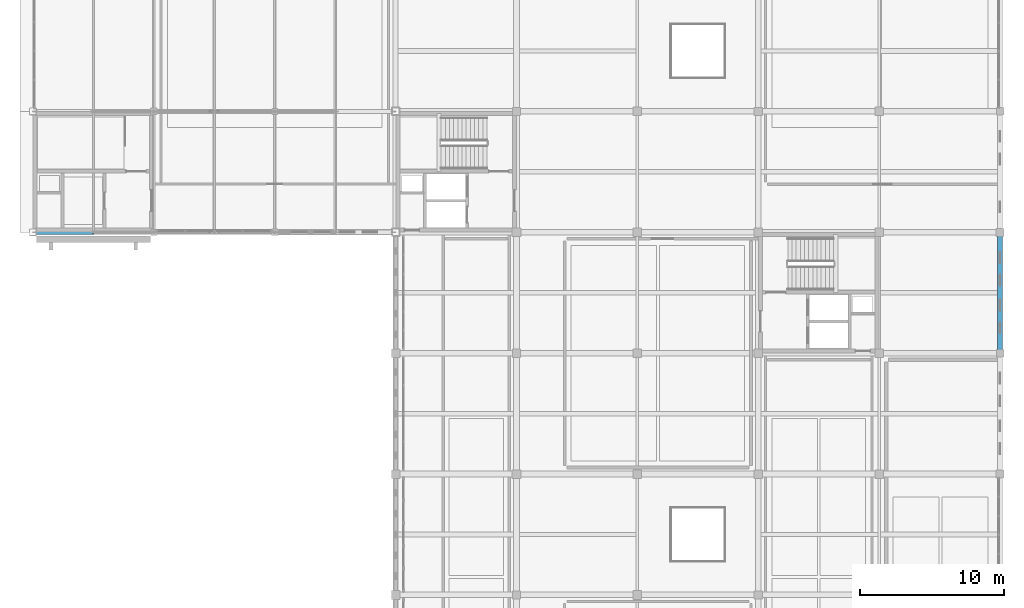
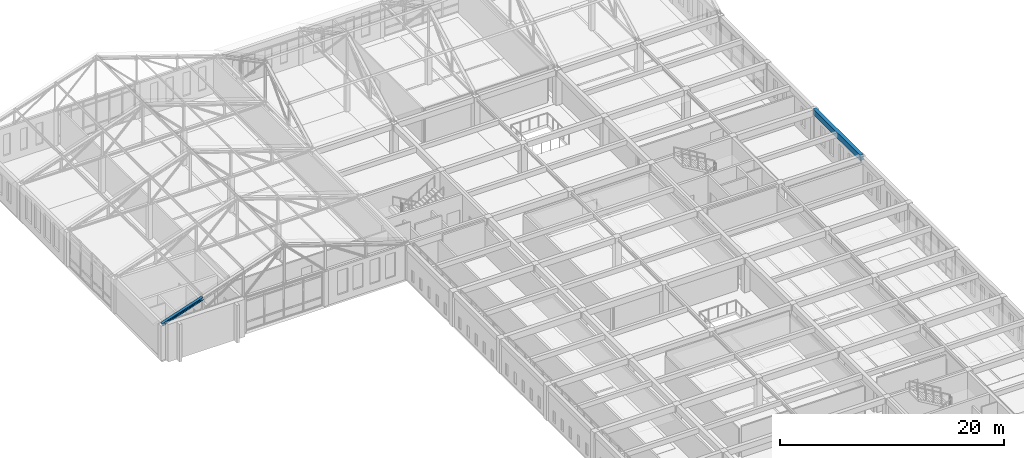
# One storey, part 10 of 56: 1 beam, 1 member.
"""IFC4 building model written with IfcOpenShell, lengths in metres."""

from ifc_helpers import new_model, si_unit, direction, frame, origin, origin_2d, place, context, subcontext, project, spatial, rectangle, i_section, extrude, material, material_profile, profile_set, type_object, element, save


model = new_model("IFC4")

# Units and contexts
model_context = context("Model", 3, precision=1e-05, world=origin(), true_north=direction((0.0, 1.0)))
body_context = subcontext(model_context, "Body", "Model", "MODEL_VIEW")
ifc_project = project(units=[si_unit("LENGTHUNIT", "METRE"), si_unit("AREAUNIT", "SQUARE_METRE"), si_unit("VOLUMEUNIT", "CUBIC_METRE"), si_unit("PLANEANGLEUNIT", "RADIAN"), si_unit("MASSUNIT", "GRAM", prefix="KILO")], contexts=[model_context])

# Site, building, storey
site_placement = place(None, origin())
site = spatial("IfcSite", under=ifc_project, at=site_placement, CompositionType="ELEMENT")
building_placement = place(site_placement, origin())
building = spatial("IfcBuilding", under=site, at=building_placement, Name="Kveldsbrygga Polytechnic", CompositionType="ELEMENT")
storey_placement = place(building_placement, frame((0.0, 0.0, 18.02001953125)))
storey = spatial("IfcBuildingStorey", under=building, at=storey_placement, Name="L04", CompositionType="ELEMENT", Elevation=18.02001953125)

# Beam
ifc_material_1 = material(Name="Concrete C35/45", Category="concrete")
ifc_material_profile_1 = material_profile(ifc_material_1, rectangle(XDim=0.35009765625, YDim=0.60009765625, at=origin_2d()), Name="RC 350x600")
ifc_profile_set_1 = profile_set([ifc_material_profile_1], Name="Concrete C35/45")
beam_type = type_object("IfcBeamType", Name="BM-SPANDREL-600", PredefinedType="T_BEAM", material=ifc_profile_set_1)
beam_placement = place(storey_placement, frame((168.0, 75.60009765625, 3.47998046875), z_axis=(0.0, 1.0, 0.0), x_axis=(-1.0, 0.0, 0.0)))
element("IfcBeam", 1, at=beam_placement, inside=storey, type_object=beam_type, Name="Primary Beam BMY-L04-20-09to10", PredefinedType="T_BEAM", context=body_context, shape_type="SweptSolid", body=[
    extrude(rectangle(XDim=0.35009765625, YDim=0.60009765625, at=origin_2d()), origin(), (0.0, 0.0, 1.0), 8.39990234375),
])

# Member
ifc_material_2 = material(Name="Steel S355", Category="steel")
ifc_material_profile_2 = material_profile(ifc_material_2, i_section(OverallWidth=0.300048828125, OverallDepth=0.2900390625, WebThickness=0.008544921875, FlangeThickness=0.013916015625, FilletRadius=0.027099609375, at=origin_2d()), Name="HEA 300")
ifc_profile_set_2 = profile_set([ifc_material_profile_2], Name="Steel S355")
member_type = type_object("IfcMemberType", Name="TR-TOP-HEA300", PredefinedType="CHORD", material=ifc_profile_set_2)
member_placement = place(storey_placement, frame((100.800048828125, 84.0, 3.780029296875), z_axis=(0.948688812577, 0.0, 0.316211221956), x_axis=(0.0, 1.0, 0.0)))
element("IfcMember", 2, at=member_placement, inside=storey, type_object=member_type, Name="Truss Top Chord V4NE5-T01-TC-1", PredefinedType="CHORD", context=body_context, shape_type="SweptSolid", body=[
    extrude(i_section(OverallWidth=0.300048828125, OverallDepth=0.2900390625, WebThickness=0.008544921875, FlangeThickness=0.013916015625, FilletRadius=0.027099609375, at=origin_2d()), origin(), (0.0, 0.0, 1.0), 4.427001953125),
])

save(model, "model.ifc")
